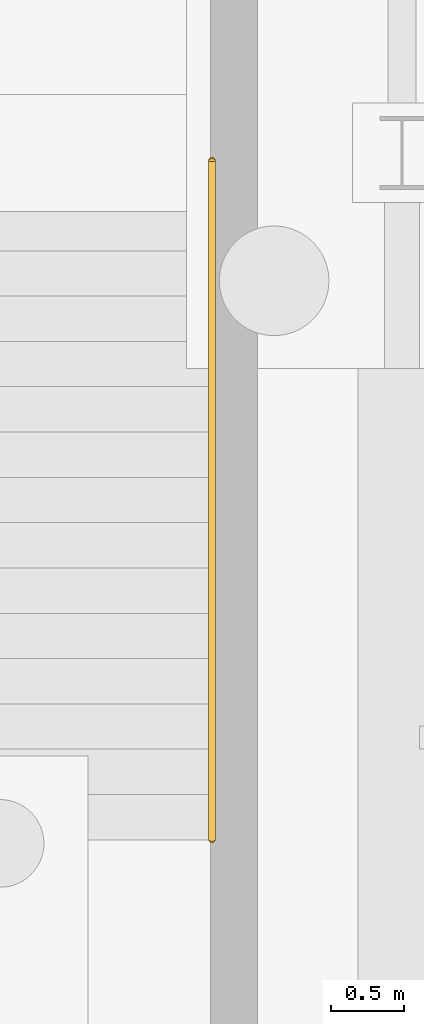
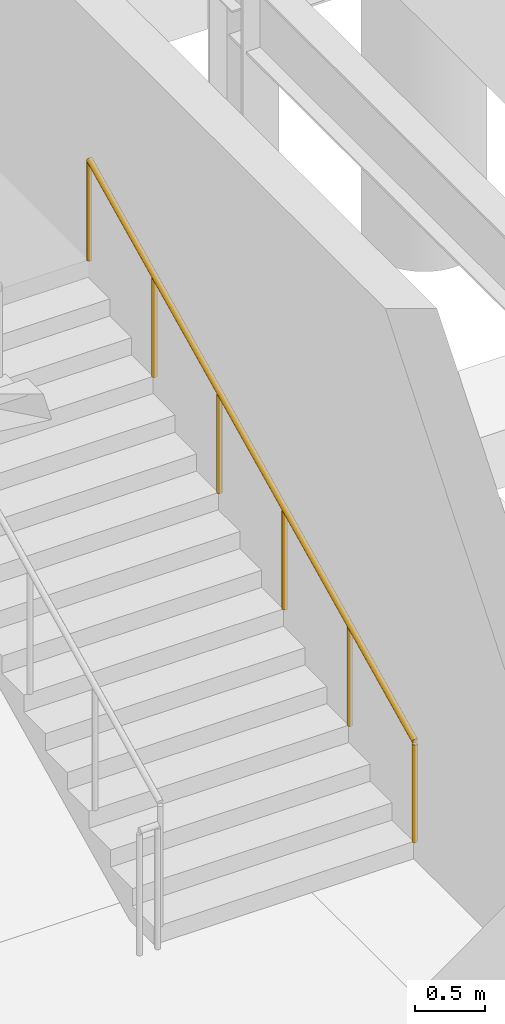
# One storey, part 58 of 64: 1 railing.
"""IFC4 building model written with IfcOpenShell, lengths in metres."""

from ifc_helpers import new_model, si_unit, direction, frame, origin, origin_2d, place, context, subcontext, project, spatial, circle, extrude, material, type_object, element, save


model = new_model("IFC4")

# Units and contexts
model_context = context("Model", 3, precision=1e-05, world=origin(), true_north=direction((0.0, 1.0)))
body_context = subcontext(model_context, "Body", "Model", "MODEL_VIEW")
ifc_project = project(units=[si_unit("LENGTHUNIT", "METRE"), si_unit("AREAUNIT", "SQUARE_METRE"), si_unit("VOLUMEUNIT", "CUBIC_METRE"), si_unit("PLANEANGLEUNIT", "RADIAN"), si_unit("MASSUNIT", "GRAM", prefix="KILO")], contexts=[model_context])

# Site, building, storey
site_placement = place(None, origin())
site = spatial("IfcSite", under=ifc_project, at=site_placement, CompositionType="ELEMENT")
building_placement = place(site_placement, origin())
building = spatial("IfcBuilding", under=site, at=building_placement, Name="Solvadek Multi-Sports Hall", CompositionType="ELEMENT")
storey_placement = place(building_placement, frame((0.0, 0.0, -4.800048828125)))
storey = spatial("IfcBuildingStorey", under=building, at=storey_placement, Name="B1", CompositionType="ELEMENT", Elevation=-4.800048828125)

# Railing
ifc_material = material(Name="Steel E250 (250 MPa)", Category="steel")
railing_type = type_object("IfcRailingType", Name="INT-RAL-HND090", PredefinedType="HANDRAIL", material=ifc_material)
railing_placement = place(storey_placement, frame((63.5, 99.699951171875, 0.150146484375)))
element("IfcRailing", 1, at=railing_placement, inside=storey, type_object=railing_type, Name="B1 ST-03 stair handrail 1", PredefinedType="HANDRAIL", context=body_context, shape_type="SweptSolid", body=[
    extrude(circle(Radius=0.02392578125, at=origin_2d()), frame((0.0, 0.0, 0.8759765625), z_axis=(0.0, 0.900164630878, 0.435549810373), x_axis=(-1.0, 0.0, 0.0)), (0.0, 0.0, 1.0), 5.165771484375),
    extrude(circle(Radius=0.02099609375, at=origin_2d()), origin(), (0.0, 0.0, 1.0), 0.851806640625),
    extrude(circle(Radius=0.02099609375, at=origin_2d()), frame((0.0, 0.929931640625, 0.449951171875)), (0.0, 0.0, 1.0), 0.851806640625),
    extrude(circle(Radius=0.02099609375, at=origin_2d()), frame((0.0, 1.860107421875, 0.89990234375)), (0.0, 0.0, 1.0), 0.851806640625),
    extrude(circle(Radius=0.02099609375, at=origin_2d()), frame((0.0, 2.7900390625, 1.35009765625)), (0.0, 0.0, 1.0), 0.851806640625),
    extrude(circle(Radius=0.02099609375, at=origin_2d()), frame((0.0, 3.72021484375, 1.800048828125)), (0.0, 0.0, 1.0), 0.851806640625),
    extrude(circle(Radius=0.02099609375, at=origin_2d()), frame((0.0, 4.650146484375, 2.25)), (0.0, 0.0, 1.0), 0.851806640625),
])

save(model, "model.ifc")
